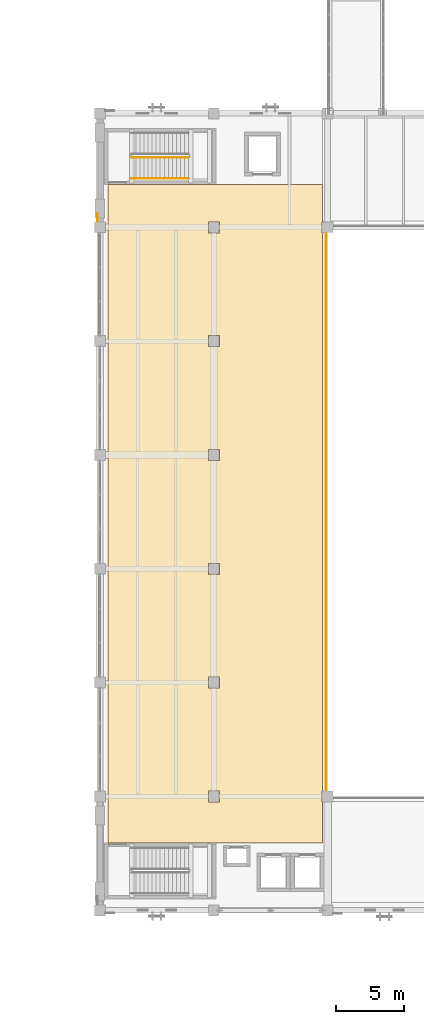
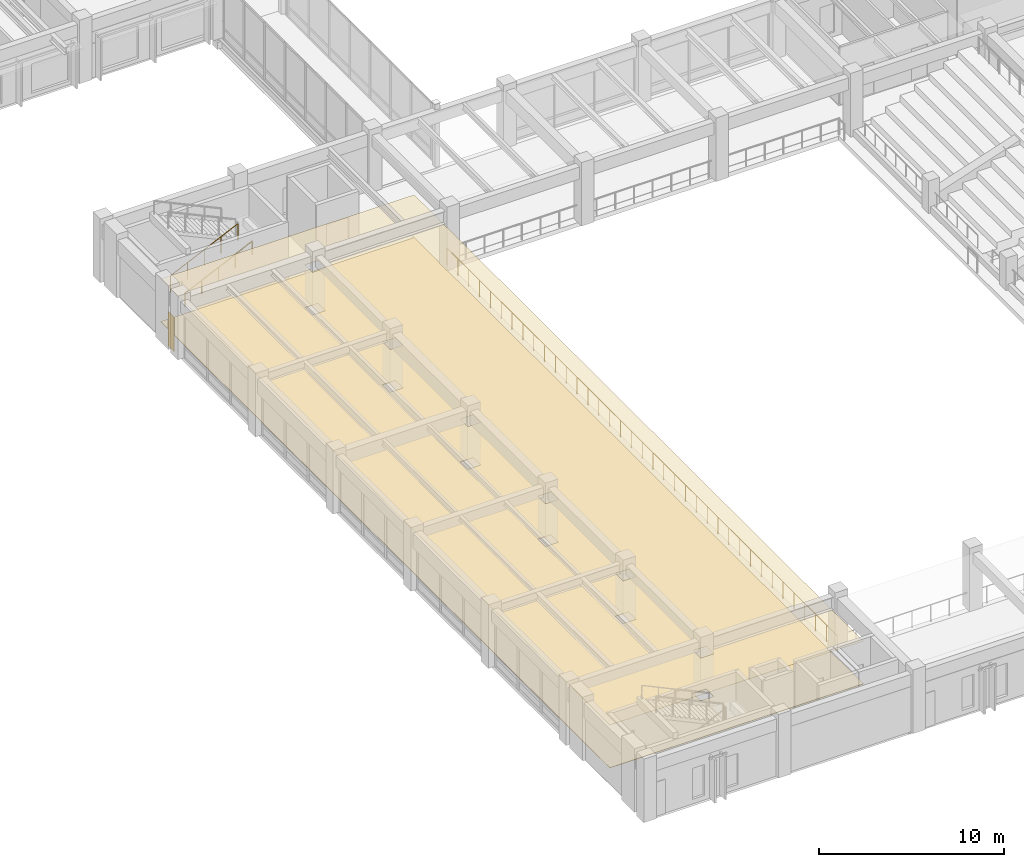
# One storey, part 107 of 132: 3 coverings, 3 railings.
"""IFC4 building model written with IfcOpenShell, lengths in metres."""

from ifc_helpers import new_model, si_unit, direction, frame, origin, origin_2d, place, context, subcontext, project, spatial, polyline, circle, outline, extrude, material, layer, layer_set, type_object, element, save


model = new_model("IFC4")

# Units and contexts
model_context = context("Model", 3, precision=1e-05, world=origin(), true_north=direction((0.0, 1.0)))
body_context = subcontext(model_context, "Body", "Model", "MODEL_VIEW")
ifc_project = project(units=[si_unit("LENGTHUNIT", "METRE"), si_unit("AREAUNIT", "SQUARE_METRE"), si_unit("VOLUMEUNIT", "CUBIC_METRE"), si_unit("PLANEANGLEUNIT", "RADIAN"), si_unit("MASSUNIT", "GRAM", prefix="KILO")], contexts=[model_context])

# Site, building, storey
site_placement = place(None, origin())
site = spatial("IfcSite", under=ifc_project, at=site_placement, CompositionType="ELEMENT")
building_placement = place(site_placement, origin())
building = spatial("IfcBuilding", under=site, at=building_placement, Name="Cumbredor Promenade Congress Hotel", CompositionType="ELEMENT")
storey_placement = place(building_placement, frame((0.0, 0.0, 7.56005859375)))
storey = spatial("IfcBuildingStorey", under=building, at=storey_placement, Name="L02", CompositionType="ELEMENT", Elevation=7.56005859375)

# Covering
ifc_material_1 = material(Name="Acoustic mineral-fiber and gypsum ceiling")
ifc_layer_1 = layer(ifc_material_1, 0.01806640625, Name="Acoustic mineral-fiber and gypsum ceiling")
ifc_layer_set_1 = layer_set([ifc_layer_1], Name="Acoustic mineral-fiber and gypsum ceiling")
covering_type_1 = type_object("IfcCoveringType", Name="Acoustic Perforated Gypsum Ceiling CLG-01 18mm", PredefinedType="CEILING", material=ifc_layer_set_1)
covering_1_placement = place(storey_placement, frame((0.0, 0.0, 2.8330078125)))
element("IfcCovering", 1, at=covering_1_placement, inside=storey, type_object=covering_type_1, Name="L02 Plenary West Pre-Function Gallery Acoustic Ceiling", PredefinedType="CEILING", context=body_context, shape_type="SweptSolid", body=[
    extrude(outline(polyline([(8.97998046875, 61.969970703125), (24.820068359375, 61.969970703125), (24.820068359375, 59.205078125), (24.794921875, 59.205078125), (24.794921875, 58.39501953125), (24.820068359375, 58.39501953125), (24.820068359375, 17.205078125), (24.794921875, 17.205078125), (24.794921875, 16.39501953125), (24.820068359375, 16.39501953125), (24.820068359375, 13.3798828125), (8.97998046875, 13.3798828125), (8.97998046875, 61.969970703125)]), holes=[polyline([(17.205078125, 16.39501953125), (17.205078125, 17.205078125), (16.39501953125, 17.205078125), (16.39501953125, 16.39501953125), (17.205078125, 16.39501953125)]), polyline([(16.39501953125, 24.794921875), (17.205078125, 24.794921875), (17.205078125, 25.60498046875), (16.39501953125, 25.60498046875), (16.39501953125, 24.794921875)]), polyline([(16.39501953125, 34.0048828125), (16.39501953125, 33.195068359375), (17.205078125, 33.195068359375), (17.205078125, 34.0048828125), (16.39501953125, 34.0048828125)]), polyline([(17.205078125, 42.405029296875), (16.39501953125, 42.405029296875), (16.39501953125, 41.594970703125), (17.205078125, 41.594970703125), (17.205078125, 42.405029296875)]), polyline([(17.205078125, 49.9951171875), (17.205078125, 50.804931640625), (16.39501953125, 50.804931640625), (16.39501953125, 49.9951171875), (17.205078125, 49.9951171875)]), polyline([(16.39501953125, 58.39501953125), (17.205078125, 58.39501953125), (17.205078125, 59.205078125), (16.39501953125, 59.205078125), (16.39501953125, 58.39501953125)])]), origin(), (0.0, 0.0, 1.0), 0.017822265625),
])

# Railings
ifc_material_2 = material(Name="Brushed stainless steel", Category="steel")
railing_type_1 = type_object("IfcRailingType", Name="Interior Void & Stair Guardrail GR-1100", PredefinedType="GUARDRAIL", material=ifc_material_2)
railing_1_placement = place(storey_placement, frame((10.75, 63.949951171875, 0.139892578125)))
element("IfcRailing", 2, at=railing_1_placement, inside=storey, type_object=railing_type_1, Name="L02 ST-06 stair guard 1", PredefinedType="GUARDRAIL", context=body_context, shape_type="SweptSolid", body=[
    extrude(circle(Radius=0.02392578125, at=origin_2d()), frame((0.0, 0.0, 1.09619140625), z_axis=(0.906184485727, 0.0, 0.422882581609), x_axis=(0.0, 1.0, 0.0)), (0.0, 0.0, 1.0), 4.634765625),
    extrude(circle(Radius=0.02099609375, at=origin_2d()), origin(), (0.0, 0.0, 1.0), 1.072021484375),
    extrude(circle(Radius=0.02099609375, at=origin_2d()), frame((1.050048828125, 0.0, 0.489990234375)), (0.0, 0.0, 1.0), 1.072021484375),
    extrude(circle(Radius=0.02099609375, at=origin_2d()), frame((2.10009765625, 0.0, 0.97998046875)), (0.0, 0.0, 1.0), 1.072021484375),
    extrude(circle(Radius=0.02099609375, at=origin_2d()), frame((3.14990234375, 0.0, 1.469970703125)), (0.0, 0.0, 1.0), 1.072021484375),
    extrude(circle(Radius=0.02099609375, at=origin_2d()), frame((4.199951171875, 0.0, 1.9599609375)), (0.0, 0.0, 1.0), 1.072021484375),
])
railing_2_placement = place(storey_placement, frame((25.10009765625, 16.699951171875, 0.0)))
element("IfcRailing", 3, at=railing_2_placement, inside=storey, type_object=railing_type_1, Name="L02 v1_plenary_bowl Void Perimeter Guardrail 2", PredefinedType="GUARDRAIL", context=body_context, shape_type="SweptSolid", body=[
    extrude(circle(Radius=0.02392578125, at=origin_2d()), frame((0.0, 0.0, 1.09619140625), z_axis=(0.0, 1.0, 0.0), x_axis=(-1.0, 0.0, 0.0)), (0.0, 0.0, 1.0), 42.199951171875),
    extrude(circle(Radius=0.02099609375, at=origin_2d()), origin(), (0.0, 0.0, 1.0), 1.072021484375),
    extrude(circle(Radius=0.02099609375, at=origin_2d()), frame((0.0, 1.172119140625, 0.0)), (0.0, 0.0, 1.0), 1.072021484375),
    extrude(circle(Radius=0.02099609375, at=origin_2d()), frame((0.0, 2.344482421875, 0.0)), (0.0, 0.0, 1.0), 1.072021484375),
    extrude(circle(Radius=0.02099609375, at=origin_2d()), frame((0.0, 3.5166015625, 0.0)), (0.0, 0.0, 1.0), 1.072021484375),
    extrude(circle(Radius=0.02099609375, at=origin_2d()), frame((0.0, 4.68896484375, 0.0)), (0.0, 0.0, 1.0), 1.072021484375),
    extrude(circle(Radius=0.02099609375, at=origin_2d()), frame((0.0, 5.861083984375, 0.0)), (0.0, 0.0, 1.0), 1.072021484375),
    extrude(circle(Radius=0.02099609375, at=origin_2d()), frame((0.0, 7.033203125, 0.0)), (0.0, 0.0, 1.0), 1.072021484375),
    extrude(circle(Radius=0.02099609375, at=origin_2d()), frame((0.0, 8.20556640625, 0.0)), (0.0, 0.0, 1.0), 1.072021484375),
    extrude(circle(Radius=0.02099609375, at=origin_2d()), frame((0.0, 9.377685546875, 0.0)), (0.0, 0.0, 1.0), 1.072021484375),
    extrude(circle(Radius=0.02099609375, at=origin_2d()), frame((0.0, 10.550048828125, 0.0)), (0.0, 0.0, 1.0), 1.072021484375),
    extrude(circle(Radius=0.02099609375, at=origin_2d()), frame((0.0, 11.72216796875, 0.0)), (0.0, 0.0, 1.0), 1.072021484375),
    extrude(circle(Radius=0.02099609375, at=origin_2d()), frame((0.0, 12.89453125, 0.0)), (0.0, 0.0, 1.0), 1.072021484375),
    extrude(circle(Radius=0.02099609375, at=origin_2d()), frame((0.0, 14.066650390625, 0.0)), (0.0, 0.0, 1.0), 1.072021484375),
    extrude(circle(Radius=0.02099609375, at=origin_2d()), frame((0.0, 15.23876953125, 0.0)), (0.0, 0.0, 1.0), 1.072021484375),
    extrude(circle(Radius=0.02099609375, at=origin_2d()), frame((0.0, 16.4111328125, 0.0)), (0.0, 0.0, 1.0), 1.072021484375),
    extrude(circle(Radius=0.02099609375, at=origin_2d()), frame((0.0, 17.583251953125, 0.0)), (0.0, 0.0, 1.0), 1.072021484375),
    extrude(circle(Radius=0.02099609375, at=origin_2d()), frame((0.0, 18.755615234375, 0.0)), (0.0, 0.0, 1.0), 1.072021484375),
    extrude(circle(Radius=0.02099609375, at=origin_2d()), frame((0.0, 19.927734375, 0.0)), (0.0, 0.0, 1.0), 1.072021484375),
    extrude(circle(Radius=0.02099609375, at=origin_2d()), frame((0.0, 21.10009765625, 0.0)), (0.0, 0.0, 1.0), 1.072021484375),
    extrude(circle(Radius=0.02099609375, at=origin_2d()), frame((0.0, 22.272216796875, 0.0)), (0.0, 0.0, 1.0), 1.072021484375),
    extrude(circle(Radius=0.02099609375, at=origin_2d()), frame((0.0, 23.4443359375, 0.0)), (0.0, 0.0, 1.0), 1.072021484375),
    extrude(circle(Radius=0.02099609375, at=origin_2d()), frame((0.0, 24.61669921875, 0.0)), (0.0, 0.0, 1.0), 1.072021484375),
    extrude(circle(Radius=0.02099609375, at=origin_2d()), frame((0.0, 25.788818359375, 0.0)), (0.0, 0.0, 1.0), 1.072021484375),
    extrude(circle(Radius=0.02099609375, at=origin_2d()), frame((0.0, 26.961181640625, 0.0)), (0.0, 0.0, 1.0), 1.072021484375),
    extrude(circle(Radius=0.02099609375, at=origin_2d()), frame((0.0, 28.13330078125, 0.0)), (0.0, 0.0, 1.0), 1.072021484375),
    extrude(circle(Radius=0.02099609375, at=origin_2d()), frame((0.0, 29.305419921875, 0.0)), (0.0, 0.0, 1.0), 1.072021484375),
    extrude(circle(Radius=0.02099609375, at=origin_2d()), frame((0.0, 30.477783203125, 0.0)), (0.0, 0.0, 1.0), 1.072021484375),
    extrude(circle(Radius=0.02099609375, at=origin_2d()), frame((0.0, 31.64990234375, 0.0)), (0.0, 0.0, 1.0), 1.072021484375),
    extrude(circle(Radius=0.02099609375, at=origin_2d()), frame((0.0, 32.822265625, 0.0)), (0.0, 0.0, 1.0), 1.072021484375),
    extrude(circle(Radius=0.02099609375, at=origin_2d()), frame((0.0, 33.994384765625, 0.0)), (0.0, 0.0, 1.0), 1.072021484375),
    extrude(circle(Radius=0.02099609375, at=origin_2d()), frame((0.0, 35.16650390625, 0.0)), (0.0, 0.0, 1.0), 1.072021484375),
    extrude(circle(Radius=0.02099609375, at=origin_2d()), frame((0.0, 36.3388671875, 0.0)), (0.0, 0.0, 1.0), 1.072021484375),
    extrude(circle(Radius=0.02099609375, at=origin_2d()), frame((0.0, 37.510986328125, 0.0)), (0.0, 0.0, 1.0), 1.072021484375),
    extrude(circle(Radius=0.02099609375, at=origin_2d()), frame((0.0, 38.683349609375, 0.0)), (0.0, 0.0, 1.0), 1.072021484375),
    extrude(circle(Radius=0.02099609375, at=origin_2d()), frame((0.0, 39.85546875, 0.0)), (0.0, 0.0, 1.0), 1.072021484375),
    extrude(circle(Radius=0.02099609375, at=origin_2d()), frame((0.0, 41.02783203125, 0.0)), (0.0, 0.0, 1.0), 1.072021484375),
    extrude(circle(Radius=0.02099609375, at=origin_2d()), frame((0.0, 42.199951171875, 0.0)), (0.0, 0.0, 1.0), 1.072021484375),
])

# Covering
ifc_material_3 = material(Name="Porcelain stoneware tile", Category="masonry")
ifc_layer_2 = layer(ifc_material_3, 0.030029296875, Name="Porcelain stoneware tile", Category="masonry")
ifc_layer_set_2 = layer_set([ifc_layer_2], Name="Porcelain stoneware tile")
covering_type_2 = type_object("IfcCoveringType", Name="Porcelain Stoneware Flooring FLR-03 30mm", PredefinedType="FLOORING", material=ifc_layer_set_2)
covering_2_placement = place(storey_placement, origin())
element("IfcCovering", 4, at=covering_2_placement, inside=storey, type_object=covering_type_2, Name="L02 Plenary West Pre-Function Gallery Porcelain Flooring", PredefinedType="FLOORING", context=body_context, shape_type="SweptSolid", body=[
    extrude(outline(polyline([(8.97998046875, 61.969970703125), (24.820068359375, 61.969970703125), (24.820068359375, 59.205078125), (24.794921875, 59.205078125), (24.794921875, 58.39501953125), (24.820068359375, 58.39501953125), (24.820068359375, 17.205078125), (24.794921875, 17.205078125), (24.794921875, 16.39501953125), (24.820068359375, 16.39501953125), (24.820068359375, 13.3798828125), (8.97998046875, 13.3798828125), (8.97998046875, 61.969970703125)]), holes=[polyline([(17.205078125, 16.39501953125), (17.205078125, 17.205078125), (16.39501953125, 17.205078125), (16.39501953125, 16.39501953125), (17.205078125, 16.39501953125)]), polyline([(16.39501953125, 24.794921875), (17.205078125, 24.794921875), (17.205078125, 25.60498046875), (16.39501953125, 25.60498046875), (16.39501953125, 24.794921875)]), polyline([(16.39501953125, 34.0048828125), (16.39501953125, 33.195068359375), (17.205078125, 33.195068359375), (17.205078125, 34.0048828125), (16.39501953125, 34.0048828125)]), polyline([(17.205078125, 42.405029296875), (16.39501953125, 42.405029296875), (16.39501953125, 41.594970703125), (17.205078125, 41.594970703125), (17.205078125, 42.405029296875)]), polyline([(17.205078125, 49.9951171875), (17.205078125, 50.804931640625), (16.39501953125, 50.804931640625), (16.39501953125, 49.9951171875), (17.205078125, 49.9951171875)]), polyline([(16.39501953125, 58.39501953125), (17.205078125, 58.39501953125), (17.205078125, 59.205078125), (16.39501953125, 59.205078125), (16.39501953125, 58.39501953125)])]), origin(), (0.0, 0.0, 1.0), 0.030029296875),
])

# Railing
railing_type_2 = type_object("IfcRailingType", Name="Stair Pitch Handrail HR-900", PredefinedType="HANDRAIL", material=ifc_material_2)
railing_3_placement = place(storey_placement, frame((10.75, 62.39990234375, 0.139892578125)))
element("IfcRailing", 5, at=railing_3_placement, inside=storey, type_object=railing_type_2, Name="L02 ST-06 stair handrail 1", PredefinedType="HANDRAIL", context=body_context, shape_type="SweptSolid", body=[
    extrude(circle(Radius=0.02392578125, at=origin_2d()), frame((0.0, 0.0, 0.8759765625), z_axis=(0.906184485727, 0.0, 0.422882581609), x_axis=(0.0, 1.0, 0.0)), (0.0, 0.0, 1.0), 4.634765625),
    extrude(circle(Radius=0.02099609375, at=origin_2d()), origin(), (0.0, 0.0, 1.0), 0.851806640625),
    extrude(circle(Radius=0.02099609375, at=origin_2d()), frame((1.050048828125, 0.0, 0.489990234375)), (0.0, 0.0, 1.0), 0.851806640625),
    extrude(circle(Radius=0.02099609375, at=origin_2d()), frame((2.10009765625, 0.0, 0.97998046875)), (0.0, 0.0, 1.0), 0.851806640625),
    extrude(circle(Radius=0.02099609375, at=origin_2d()), frame((3.14990234375, 0.0, 1.469970703125)), (0.0, 0.0, 1.0), 0.851806640625),
    extrude(circle(Radius=0.02099609375, at=origin_2d()), frame((4.199951171875, 0.0, 1.9599609375)), (0.0, 0.0, 1.0), 0.851806640625),
])

# Covering
ifc_material_4 = material(Name="Volcanic andesite ashlar cladding", Category="masonry")
ifc_layer_3 = layer(ifc_material_4, 0.034912109375, Name="Volcanic andesite ashlar cladding", Category="masonry")
ifc_layer_set_3 = layer_set([ifc_layer_3], Name="Volcanic andesite ashlar cladding")
covering_type_3 = type_object("IfcCoveringType", Name="Volcanic Andesite Ashlar Rainscreen Cladding 35mm", PredefinedType="CLADDING", material=ifc_layer_set_3)
covering_3_placement = place(storey_placement, origin())
element("IfcCovering", 6, at=covering_3_placement, inside=storey, type_object=covering_type_3, Name="L02 Facade Stone Cladding Pier 099", PredefinedType="CLADDING", context=body_context, shape_type="SweptSolid", body=[
    extrude(outline(polyline([(8.25, 59.200927734375), (8.25, 59.85107421875), (8.215087890625, 59.85107421875), (8.215087890625, 59.200927734375), (8.25, 59.200927734375)])), origin(), (0.0, 0.0, 1.0), 2.25),
])

save(model, "model.ifc")
